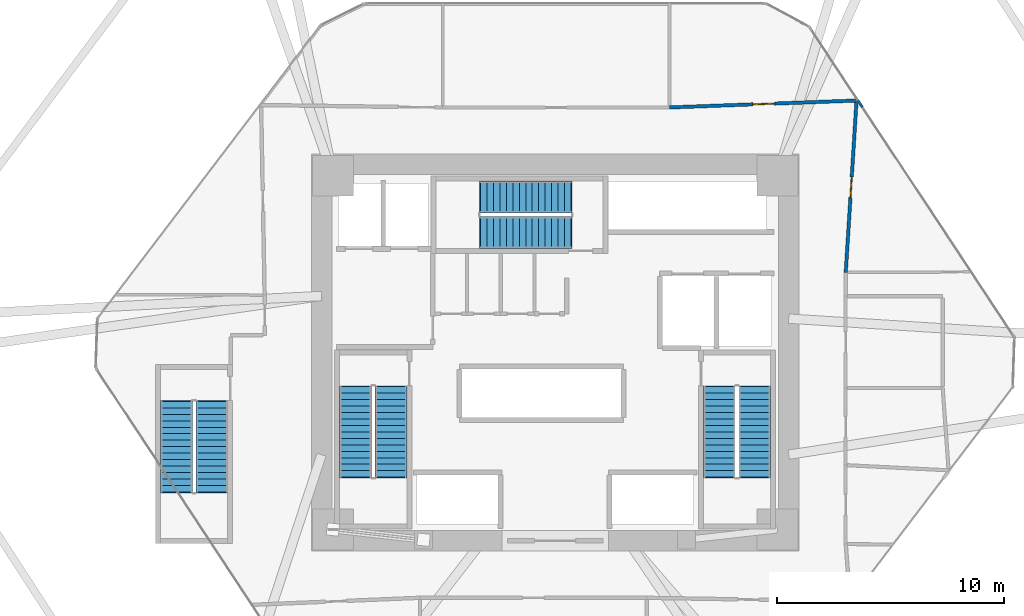
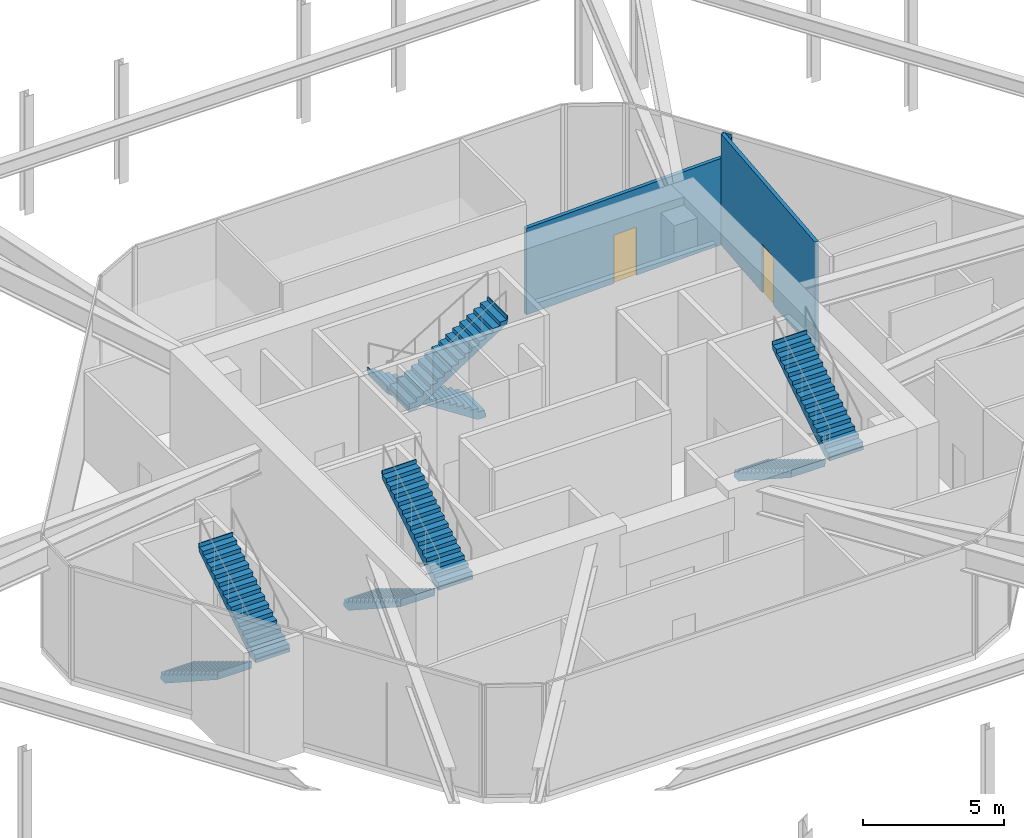
# One storey, part 15 of 16: 8 stair flights, 3 walls, 2 doors, 2 openings, 4 elements without a shape of their own.
"""IFC4 building model written with IfcOpenShell, lengths in metres."""

from ifc_helpers import new_model, si_unit, direction, frame, frame_2d, origin, place, context, subcontext, project, spatial, polyline, rectangle, outline, extrude, source, transform, mapped, material, layer, layer_set, type_object, type_shapes, element, fill, aggregate, save


model = new_model("IFC4")

# Units and contexts
model_context = context("Model", 3, precision=1e-05, world=origin(), true_north=direction((0.0, 1.0)))
body_context = subcontext(model_context, "Body", "Model", "MODEL_VIEW")
ifc_project = project(units=[si_unit("LENGTHUNIT", "METRE"), si_unit("AREAUNIT", "SQUARE_METRE"), si_unit("VOLUMEUNIT", "CUBIC_METRE"), si_unit("PLANEANGLEUNIT", "RADIAN"), si_unit("MASSUNIT", "GRAM", prefix="KILO")], contexts=[model_context])

# Site, building, storey
site_placement = place(None, origin())
site = spatial("IfcSite", under=ifc_project, at=site_placement, CompositionType="ELEMENT")
building_placement = place(site_placement, origin())
building = spatial("IfcBuilding", under=site, at=building_placement, Name="Durnholm Broadcast Tower", CompositionType="ELEMENT")
storey_placement = place(building_placement, frame((0.0, 0.0, 5.199951171875)))
storey = spatial("IfcBuildingStorey", under=building, at=storey_placement, Name="L01", CompositionType="ELEMENT", Elevation=5.199951171875)

# Wall
ifc_material_1 = material(Name="Operable Acoustic Panel Partition", Category="aluminium")
ifc_layer_1 = layer(ifc_material_1, 0.110107421875)
ifc_layer_set_1 = layer_set([ifc_layer_1], Name="Operable Acoustic Panel Partition")
wall_type_1 = type_object("IfcWallType", Name="WALL-MOV-110", PredefinedType="MOVABLE", material=ifc_layer_set_1)
wall_1_placement = place(storey_placement, frame((13.548828125, 10.83203125, 0.0), z_axis=(0.0, 0.0, 1.0), x_axis=(-0.551098760487, 0.83444002552, 0.0)))
element("IfcWall", 1, at=wall_1_placement, inside=storey, type_object=wall_type_1, Name="L01 room dividing partition 10.17", PredefinedType="MOVABLE", context=body_context, shape_type="SweptSolid", body=[
    extrude(rectangle(XDim=0.3447265625, YDim=0.110107421875, at=frame_2d((0.17236328125, 0.0))), origin(), (0.0, 0.0, 1.0), 4.8349609375),
])

# Wall, opening, door
ifc_material_2 = material(Name="Acoustic Gypsum Stud Partition", Category="concrete")
ifc_layer_2 = layer(ifc_material_2, 0.14990234375)
ifc_layer_set_2 = layer_set([ifc_layer_2], Name="Acoustic Gypsum Stud Partition")
wall_type_2 = type_object("IfcWallType", Name="WALL-PART-150", PredefinedType="PARTITIONING", material=ifc_layer_set_2)
wall_2_placement = place(storey_placement, frame((13.35888671875, 11.11962890625, 0.0), z_axis=(0.0, 0.0, 1.0), x_axis=(-0.999321326716, -0.036835933156, 0.0)))
wall_2 = element("IfcWall", 2, at=wall_2_placement, inside=storey, type_object=wall_type_2, Name="L01 Press Briefing Meeting Room corridor partition", PredefinedType="PARTITIONING", context=body_context, shape_type="SweptSolid", body=[
    extrude(rectangle(XDim=8.324462890625, YDim=0.14990234375, at=frame_2d((4.162109375, 0.0))), origin(), (0.0, 0.0, 1.0), 3.757080078125),
])
opening_1_placement = place(wall_2_placement, frame((3.687255859375, 0.0, 0.0)))
opening_1 = element("IfcOpeningElement", 3, at=opening_1_placement, cuts=wall_2, Name="Opening DR-95L", PredefinedType="OPENING", context=body_context, shape_type="SweptSolid", body=[
    extrude(rectangle(XDim=0.949951171875, YDim=2.10009765625, at=frame_2d((0.47509765625, 1.050048828125))), frame((0.0, 0.0849609375, 0.0), z_axis=(0.0, -1.0, 0.0), x_axis=(1.0, 0.0, 0.0)), (0.0, 0.0, 1.0), 0.169921875),
])
ifc_material_3 = material(Name="Acoustic Oak Veneer Timber Door", Category="wood")
ifc_layer_3 = layer(ifc_material_3, 0.050048828125)
ifc_layer_set_3 = layer_set([ifc_layer_3], Name="Acoustic Oak Veneer Timber Door")
door_type_1 = type_object("IfcDoorType", Name="DOOR-RM-950L", OperationType="NOTDEFINED", PredefinedType="DOOR", material=ifc_layer_set_3)
shared_shape_1 = source(origin(), body_context, "Body", "SweptSolid", [
    extrude(rectangle(XDim=0.949951171875, YDim=2.10009765625, at=frame_2d((0.47509765625, 1.050048828125))), frame((0.0, 0.02490234375, 0.0), z_axis=(0.0, -1.0, 0.0), x_axis=(1.0, 0.0, 0.0)), (0.0, 0.0, 1.0), 0.050048828125),
])
type_shapes(door_type_1, [shared_shape_1])
door_1_placement = place(opening_1_placement, origin())
door_1 = element("IfcDoor", 4, at=door_1_placement, inside=storey, type_object=door_type_1, Name="L01 Press Briefing Meeting Room entrance door", OperationType="SINGLE_SWING_LEFT", OverallHeight=2.10009765625, OverallWidth=0.949951171875, PredefinedType="DOOR", context=body_context, shape_type="MappedRepresentation", body=[
    mapped(shared_shape_1, transform((0.0, 0.0, 0.0), x_axis=(1.0, 0.0, 0.0), y_axis=(0.0, 1.0, 0.0), z_axis=(0.0, 0.0, 1.0), scale=1.0)),
])
fill(opening_1, door_1)

wall_3_placement = place(storey_placement, frame((12.81494140625, 3.5400390625, 0.0), z_axis=(0.0, 0.0, 1.0), x_axis=(0.062817309995, 0.998025042554, 0.0)))
wall_3 = element("IfcWall", 5, at=wall_3_placement, inside=storey, type_object=wall_type_2, Name="L01 Public Relations Office corridor partition", PredefinedType="PARTITIONING", context=body_context, shape_type="SweptSolid", body=[
    extrude(rectangle(XDim=7.5126953125, YDim=0.14990234375, at=frame_2d((3.75634765625, 0.0))), origin(), (0.0, 0.0, 1.0), 4.8349609375),
])
opening_2_placement = place(wall_3_placement, frame((3.29638671875, 0.0, 0.0)))
opening_2 = element("IfcOpeningElement", 6, at=opening_2_placement, cuts=wall_3, Name="Opening DR-92R", PredefinedType="OPENING", context=body_context, shape_type="SweptSolid", body=[
    extrude(rectangle(XDim=0.919921875, YDim=2.10009765625, at=frame_2d((0.4599609375, 1.050048828125))), frame((0.0, 0.0849609375, 0.0), z_axis=(0.0, -1.0, 0.0), x_axis=(1.0, 0.0, 0.0)), (0.0, 0.0, 1.0), 0.169921875),
])
ifc_material_4 = material(Name="Oak Veneer Office Door", Category="wood")
ifc_layer_4 = layer(ifc_material_4, 0.050048828125)
ifc_layer_set_4 = layer_set([ifc_layer_4], Name="Oak Veneer Office Door")
door_type_2 = type_object("IfcDoorType", Name="DOOR-RM-920R", OperationType="NOTDEFINED", PredefinedType="DOOR", material=ifc_layer_set_4)
shared_shape_2 = source(origin(), body_context, "Body", "SweptSolid", [
    extrude(rectangle(XDim=0.919921875, YDim=2.10009765625, at=frame_2d((0.4599609375, 1.050048828125))), frame((0.0, 0.02490234375, 0.0), z_axis=(0.0, -1.0, 0.0), x_axis=(1.0, 0.0, 0.0)), (0.0, 0.0, 1.0), 0.050048828125),
])
type_shapes(door_type_2, [shared_shape_2])
door_2_placement = place(opening_2_placement, origin())
door_2 = element("IfcDoor", 7, at=door_2_placement, inside=storey, type_object=door_type_2, Name="L01 Public Relations Office entrance door", OperationType="SINGLE_SWING_RIGHT", OverallHeight=2.10009765625, OverallWidth=0.919921875, PredefinedType="DOOR", context=body_context, shape_type="MappedRepresentation", body=[
    mapped(shared_shape_2, transform((0.0, 0.0, 0.0), x_axis=(1.0, 0.0, 0.0), y_axis=(0.0, 1.0, 0.0), z_axis=(0.0, 0.0, 1.0), scale=1.0)),
])
fill(opening_2, door_2)

# Stair, stair flights
ifc_material_5 = material(Name="Concrete C50/60", Category="concrete")
stair_type = type_object("IfcStairType", Name="STAIR-DL-30R1733", PredefinedType="HALF_TURN_STAIR", material=ifc_material_5)
stair_1_placement = place(storey_placement, origin())
stair_1 = element("IfcStair", 8, at=stair_1_placement, inside=storey, type_object=stair_type, Name="L01 ST-1", PredefinedType="HALF_TURN_STAIR")
stair_flight_type = type_object("IfcStairFlightType", Name="FLIGHT-DL-30R1733", PredefinedType="STRAIGHT", material=ifc_material_5)
stair_flight_1_placement = place(storey_placement, frame((-8.800048828125, -1.5, 0.0), z_axis=(0.0, 0.0, 1.0), x_axis=(0.0, -1.0, 0.0)))
stair_flight_1 = element("IfcStairFlight", 9, at=stair_flight_1_placement, type_object=stair_flight_type, Name="ST-1 flight 1", NumberOfRisers=15, NumberOfTreads=14, PredefinedType="STRAIGHT", RiserHeight=0.173333333, TreadLength=0.285, context=body_context, shape_type="SweptSolid", body=[
    extrude(outline(polyline([(-0.0400390625, -0.14990234375), (-0.0400390625, 0.0), (0.0, 0.0), (0.0, 0.17333984375), (0.284912109375, 0.17333984375), (0.284912109375, 0.3466796875), (0.570068359375, 0.3466796875), (0.570068359375, 0.52001953125), (0.85498046875, 0.52001953125), (0.85498046875, 0.693359375), (1.139892578125, 0.693359375), (1.139892578125, 0.86669921875), (1.425048828125, 0.86669921875), (1.425048828125, 1.0400390625), (1.7099609375, 1.0400390625), (1.7099609375, 1.21337890625), (1.9951171875, 1.21337890625), (1.9951171875, 1.38671875), (2.280029296875, 1.38671875), (2.280029296875, 1.56005859375), (2.56494140625, 1.56005859375), (2.56494140625, 1.7333984375), (2.85009765625, 1.7333984375), (2.85009765625, 1.90673828125), (3.135009765625, 1.90673828125), (3.135009765625, 2.080078125), (3.419921875, 2.080078125), (3.419921875, 2.25341796875), (3.705078125, 2.25341796875), (3.705078125, 2.4267578125), (3.989990234375, 2.4267578125), (3.989990234375, 2.60009765625), (4.030029296875, 2.60009765625), (4.030029296875, 2.4501953125), (3.989990234375, 2.251220703125), (0.28857421875, -0.14990234375), (-0.0400390625, -0.14990234375)])), frame((0.0, 0.699951171875, 0.0), z_axis=(0.0, -1.0, 0.0), x_axis=(1.0, 0.0, 0.0)), (0.0, 0.0, 1.0), 1.39990234375),
])
stair_flight_2_placement = place(storey_placement, frame((-7.239990234375, -5.489990234375, 2.60009765625), z_axis=(0.0, 0.0, 1.0), x_axis=(0.0, 1.0, 0.0)))
stair_flight_2 = element("IfcStairFlight", 10, at=stair_flight_2_placement, type_object=stair_flight_type, Name="ST-1 flight 2", NumberOfRisers=15, NumberOfTreads=14, PredefinedType="STRAIGHT", RiserHeight=0.173333333, TreadLength=0.285, context=body_context, shape_type="SweptSolid", body=[
    extrude(outline(polyline([(-0.0400390625, -0.14990234375), (-0.0400390625, 0.0), (0.0, 0.0), (0.0, 0.17333984375), (0.284912109375, 0.17333984375), (0.284912109375, 0.3466796875), (0.570068359375, 0.3466796875), (0.570068359375, 0.52001953125), (0.85498046875, 0.52001953125), (0.85498046875, 0.693359375), (1.139892578125, 0.693359375), (1.139892578125, 0.86669921875), (1.425048828125, 0.86669921875), (1.425048828125, 1.0400390625), (1.7099609375, 1.0400390625), (1.7099609375, 1.21337890625), (1.9951171875, 1.21337890625), (1.9951171875, 1.38671875), (2.280029296875, 1.38671875), (2.280029296875, 1.56005859375), (2.56494140625, 1.56005859375), (2.56494140625, 1.7333984375), (2.85009765625, 1.7333984375), (2.85009765625, 1.90673828125), (3.135009765625, 1.90673828125), (3.135009765625, 2.080078125), (3.419921875, 2.080078125), (3.419921875, 2.25341796875), (3.705078125, 2.25341796875), (3.705078125, 2.4267578125), (3.989990234375, 2.4267578125), (3.989990234375, 2.60009765625), (4.030029296875, 2.60009765625), (4.030029296875, 2.4501953125), (3.989990234375, 2.251220703125), (0.28857421875, -0.14990234375), (-0.0400390625, -0.14990234375)])), frame((0.0, 0.699951171875, 0.0), z_axis=(0.0, -1.0, 0.0), x_axis=(1.0, 0.0, 0.0)), (0.0, 0.0, 1.0), 1.39990234375),
])
aggregate(stair_1, [stair_flight_1, stair_flight_2])

stair_2_placement = place(storey_placement, origin())
stair_2 = element("IfcStair", 11, at=stair_2_placement, inside=storey, type_object=stair_type, Name="L01 ST-2", PredefinedType="HALF_TURN_STAIR")
stair_flight_3_placement = place(storey_placement, frame((7.239990234375, -1.5, 0.0), z_axis=(0.0, 0.0, 1.0), x_axis=(0.0, -1.0, 0.0)))
stair_flight_3 = element("IfcStairFlight", 12, at=stair_flight_3_placement, type_object=stair_flight_type, Name="ST-2 flight 1", NumberOfRisers=15, NumberOfTreads=14, PredefinedType="STRAIGHT", RiserHeight=0.173333333, TreadLength=0.285, context=body_context, shape_type="SweptSolid", body=[
    extrude(outline(polyline([(-0.0400390625, -0.14990234375), (-0.0400390625, 0.0), (0.0, 0.0), (0.0, 0.17333984375), (0.284912109375, 0.17333984375), (0.284912109375, 0.3466796875), (0.570068359375, 0.3466796875), (0.570068359375, 0.52001953125), (0.85498046875, 0.52001953125), (0.85498046875, 0.693359375), (1.139892578125, 0.693359375), (1.139892578125, 0.86669921875), (1.425048828125, 0.86669921875), (1.425048828125, 1.0400390625), (1.7099609375, 1.0400390625), (1.7099609375, 1.21337890625), (1.9951171875, 1.21337890625), (1.9951171875, 1.38671875), (2.280029296875, 1.38671875), (2.280029296875, 1.56005859375), (2.56494140625, 1.56005859375), (2.56494140625, 1.7333984375), (2.85009765625, 1.7333984375), (2.85009765625, 1.90673828125), (3.135009765625, 1.90673828125), (3.135009765625, 2.080078125), (3.419921875, 2.080078125), (3.419921875, 2.25341796875), (3.705078125, 2.25341796875), (3.705078125, 2.4267578125), (3.989990234375, 2.4267578125), (3.989990234375, 2.60009765625), (4.030029296875, 2.60009765625), (4.030029296875, 2.4501953125), (3.989990234375, 2.251220703125), (0.28857421875, -0.14990234375), (-0.0400390625, -0.14990234375)])), frame((0.0, 0.699951171875, 0.0), z_axis=(0.0, -1.0, 0.0), x_axis=(1.0, 0.0, 0.0)), (0.0, 0.0, 1.0), 1.39990234375),
])
stair_flight_4_placement = place(storey_placement, frame((8.800048828125, -5.489990234375, 2.60009765625), z_axis=(0.0, 0.0, 1.0), x_axis=(0.0, 1.0, 0.0)))
stair_flight_4 = element("IfcStairFlight", 13, at=stair_flight_4_placement, type_object=stair_flight_type, Name="ST-2 flight 2", NumberOfRisers=15, NumberOfTreads=14, PredefinedType="STRAIGHT", RiserHeight=0.173333333, TreadLength=0.285, context=body_context, shape_type="SweptSolid", body=[
    extrude(outline(polyline([(-0.0400390625, -0.14990234375), (-0.0400390625, 0.0), (0.0, 0.0), (0.0, 0.17333984375), (0.284912109375, 0.17333984375), (0.284912109375, 0.3466796875), (0.570068359375, 0.3466796875), (0.570068359375, 0.52001953125), (0.85498046875, 0.52001953125), (0.85498046875, 0.693359375), (1.139892578125, 0.693359375), (1.139892578125, 0.86669921875), (1.425048828125, 0.86669921875), (1.425048828125, 1.0400390625), (1.7099609375, 1.0400390625), (1.7099609375, 1.21337890625), (1.9951171875, 1.21337890625), (1.9951171875, 1.38671875), (2.280029296875, 1.38671875), (2.280029296875, 1.56005859375), (2.56494140625, 1.56005859375), (2.56494140625, 1.7333984375), (2.85009765625, 1.7333984375), (2.85009765625, 1.90673828125), (3.135009765625, 1.90673828125), (3.135009765625, 2.080078125), (3.419921875, 2.080078125), (3.419921875, 2.25341796875), (3.705078125, 2.25341796875), (3.705078125, 2.4267578125), (3.989990234375, 2.4267578125), (3.989990234375, 2.60009765625), (4.030029296875, 2.60009765625), (4.030029296875, 2.4501953125), (3.989990234375, 2.251220703125), (0.28857421875, -0.14990234375), (-0.0400390625, -0.14990234375)])), frame((0.0, 0.699951171875, 0.0), z_axis=(0.0, -1.0, 0.0), x_axis=(1.0, 0.0, 0.0)), (0.0, 0.0, 1.0), 1.39990234375),
])
aggregate(stair_2, [stair_flight_3, stair_flight_4])

stair_3_placement = place(storey_placement, origin())
stair_3 = element("IfcStair", 14, at=stair_3_placement, inside=storey, type_object=stair_type, Name="L01 ST-3", PredefinedType="HALF_TURN_STAIR")
stair_flight_5_placement = place(storey_placement, frame((0.699951171875, 6.860107421875, 0.0), z_axis=(0.0, 0.0, 1.0), x_axis=(-1.0, 0.0, 0.0)))
stair_flight_5 = element("IfcStairFlight", 15, at=stair_flight_5_placement, type_object=stair_flight_type, Name="ST-3 flight 1", NumberOfRisers=15, NumberOfTreads=14, PredefinedType="STRAIGHT", RiserHeight=0.173333333, TreadLength=0.285, context=body_context, shape_type="SweptSolid", body=[
    extrude(outline(polyline([(-0.0400390625, -0.14990234375), (-0.0400390625, 0.0), (0.0, 0.0), (0.0, 0.17333984375), (0.284912109375, 0.17333984375), (0.284912109375, 0.3466796875), (0.570068359375, 0.3466796875), (0.570068359375, 0.52001953125), (0.85498046875, 0.52001953125), (0.85498046875, 0.693359375), (1.139892578125, 0.693359375), (1.139892578125, 0.86669921875), (1.425048828125, 0.86669921875), (1.425048828125, 1.0400390625), (1.7099609375, 1.0400390625), (1.7099609375, 1.21337890625), (1.9951171875, 1.21337890625), (1.9951171875, 1.38671875), (2.280029296875, 1.38671875), (2.280029296875, 1.56005859375), (2.56494140625, 1.56005859375), (2.56494140625, 1.7333984375), (2.85009765625, 1.7333984375), (2.85009765625, 1.90673828125), (3.135009765625, 1.90673828125), (3.135009765625, 2.080078125), (3.419921875, 2.080078125), (3.419921875, 2.25341796875), (3.705078125, 2.25341796875), (3.705078125, 2.4267578125), (3.989990234375, 2.4267578125), (3.989990234375, 2.60009765625), (4.030029296875, 2.60009765625), (4.030029296875, 2.4501953125), (3.989990234375, 2.251220703125), (0.28857421875, -0.14990234375), (-0.0400390625, -0.14990234375)])), frame((0.0, 0.699951171875, 0.0), z_axis=(0.0, -1.0, 0.0), x_axis=(1.0, 0.0, 0.0)), (0.0, 0.0, 1.0), 1.39990234375),
])
stair_flight_6_placement = place(storey_placement, frame((-3.2900390625, 5.300048828125, 2.60009765625), z_axis=(0.0, 0.0, 1.0), x_axis=(1.0, 0.0, 0.0)))
stair_flight_6 = element("IfcStairFlight", 16, at=stair_flight_6_placement, type_object=stair_flight_type, Name="ST-3 flight 2", NumberOfRisers=15, NumberOfTreads=14, PredefinedType="STRAIGHT", RiserHeight=0.173333333, TreadLength=0.285, context=body_context, shape_type="SweptSolid", body=[
    extrude(outline(polyline([(-0.0400390625, -0.14990234375), (-0.0400390625, 0.0), (0.0, 0.0), (0.0, 0.17333984375), (0.284912109375, 0.17333984375), (0.284912109375, 0.3466796875), (0.570068359375, 0.3466796875), (0.570068359375, 0.52001953125), (0.85498046875, 0.52001953125), (0.85498046875, 0.693359375), (1.139892578125, 0.693359375), (1.139892578125, 0.86669921875), (1.425048828125, 0.86669921875), (1.425048828125, 1.0400390625), (1.7099609375, 1.0400390625), (1.7099609375, 1.21337890625), (1.9951171875, 1.21337890625), (1.9951171875, 1.38671875), (2.280029296875, 1.38671875), (2.280029296875, 1.56005859375), (2.56494140625, 1.56005859375), (2.56494140625, 1.7333984375), (2.85009765625, 1.7333984375), (2.85009765625, 1.90673828125), (3.135009765625, 1.90673828125), (3.135009765625, 2.080078125), (3.419921875, 2.080078125), (3.419921875, 2.25341796875), (3.705078125, 2.25341796875), (3.705078125, 2.4267578125), (3.989990234375, 2.4267578125), (3.989990234375, 2.60009765625), (4.030029296875, 2.60009765625), (4.030029296875, 2.4501953125), (3.989990234375, 2.251220703125), (0.28857421875, -0.14990234375), (-0.0400390625, -0.14990234375)])), frame((0.0, 0.699951171875, 0.0), z_axis=(0.0, -1.0, 0.0), x_axis=(1.0, 0.0, 0.0)), (0.0, 0.0, 1.0), 1.39990234375),
])
aggregate(stair_3, [stair_flight_5, stair_flight_6])

stair_4_placement = place(storey_placement, origin())
stair_4 = element("IfcStair", 17, at=stair_4_placement, inside=storey, type_object=stair_type, Name="L01 ST-4", PredefinedType="HALF_TURN_STAIR")
stair_flight_7_placement = place(storey_placement, frame((-16.699951171875, -2.14990234375, 0.0), z_axis=(0.0, 0.0, 1.0), x_axis=(0.0, -1.0, 0.0)))
stair_flight_7 = element("IfcStairFlight", 18, at=stair_flight_7_placement, type_object=stair_flight_type, Name="ST-4 flight 1", NumberOfRisers=15, NumberOfTreads=14, PredefinedType="STRAIGHT", RiserHeight=0.173333333, TreadLength=0.285, context=body_context, shape_type="SweptSolid", body=[
    extrude(outline(polyline([(-0.0400390625, -0.14990234375), (-0.0400390625, 0.0), (0.0, 0.0), (0.0, 0.17333984375), (0.284912109375, 0.17333984375), (0.284912109375, 0.3466796875), (0.570068359375, 0.3466796875), (0.570068359375, 0.52001953125), (0.85498046875, 0.52001953125), (0.85498046875, 0.693359375), (1.139892578125, 0.693359375), (1.139892578125, 0.86669921875), (1.425048828125, 0.86669921875), (1.425048828125, 1.0400390625), (1.7099609375, 1.0400390625), (1.7099609375, 1.21337890625), (1.9951171875, 1.21337890625), (1.9951171875, 1.38671875), (2.280029296875, 1.38671875), (2.280029296875, 1.56005859375), (2.56494140625, 1.56005859375), (2.56494140625, 1.7333984375), (2.85009765625, 1.7333984375), (2.85009765625, 1.90673828125), (3.135009765625, 1.90673828125), (3.135009765625, 2.080078125), (3.419921875, 2.080078125), (3.419921875, 2.25341796875), (3.705078125, 2.25341796875), (3.705078125, 2.4267578125), (3.989990234375, 2.4267578125), (3.989990234375, 2.60009765625), (4.030029296875, 2.60009765625), (4.030029296875, 2.4501953125), (3.989990234375, 2.251220703125), (0.28857421875, -0.14990234375), (-0.0400390625, -0.14990234375)])), frame((0.0, 0.699951171875, 0.0), z_axis=(0.0, -1.0, 0.0), x_axis=(1.0, 0.0, 0.0)), (0.0, 0.0, 1.0), 1.39990234375),
])
stair_flight_8_placement = place(storey_placement, frame((-15.139892578125, -6.139892578125, 2.60009765625), z_axis=(0.0, 0.0, 1.0), x_axis=(0.0, 1.0, 0.0)))
stair_flight_8 = element("IfcStairFlight", 19, at=stair_flight_8_placement, type_object=stair_flight_type, Name="ST-4 flight 2", NumberOfRisers=15, NumberOfTreads=14, PredefinedType="STRAIGHT", RiserHeight=0.173333333, TreadLength=0.285, context=body_context, shape_type="SweptSolid", body=[
    extrude(outline(polyline([(-0.0400390625, -0.14990234375), (-0.0400390625, 0.0), (0.0, 0.0), (0.0, 0.17333984375), (0.284912109375, 0.17333984375), (0.284912109375, 0.3466796875), (0.570068359375, 0.3466796875), (0.570068359375, 0.52001953125), (0.85498046875, 0.52001953125), (0.85498046875, 0.693359375), (1.139892578125, 0.693359375), (1.139892578125, 0.86669921875), (1.425048828125, 0.86669921875), (1.425048828125, 1.0400390625), (1.7099609375, 1.0400390625), (1.7099609375, 1.21337890625), (1.9951171875, 1.21337890625), (1.9951171875, 1.38671875), (2.280029296875, 1.38671875), (2.280029296875, 1.56005859375), (2.56494140625, 1.56005859375), (2.56494140625, 1.7333984375), (2.85009765625, 1.7333984375), (2.85009765625, 1.90673828125), (3.135009765625, 1.90673828125), (3.135009765625, 2.080078125), (3.419921875, 2.080078125), (3.419921875, 2.25341796875), (3.705078125, 2.25341796875), (3.705078125, 2.4267578125), (3.989990234375, 2.4267578125), (3.989990234375, 2.60009765625), (4.030029296875, 2.60009765625), (4.030029296875, 2.4501953125), (3.989990234375, 2.251220703125), (0.28857421875, -0.14990234375), (-0.0400390625, -0.14990234375)])), frame((0.0, 0.699951171875, 0.0), z_axis=(0.0, -1.0, 0.0), x_axis=(1.0, 0.0, 0.0)), (0.0, 0.0, 1.0), 1.39990234375),
])
aggregate(stair_4, [stair_flight_7, stair_flight_8])

save(model, "model.ifc")
